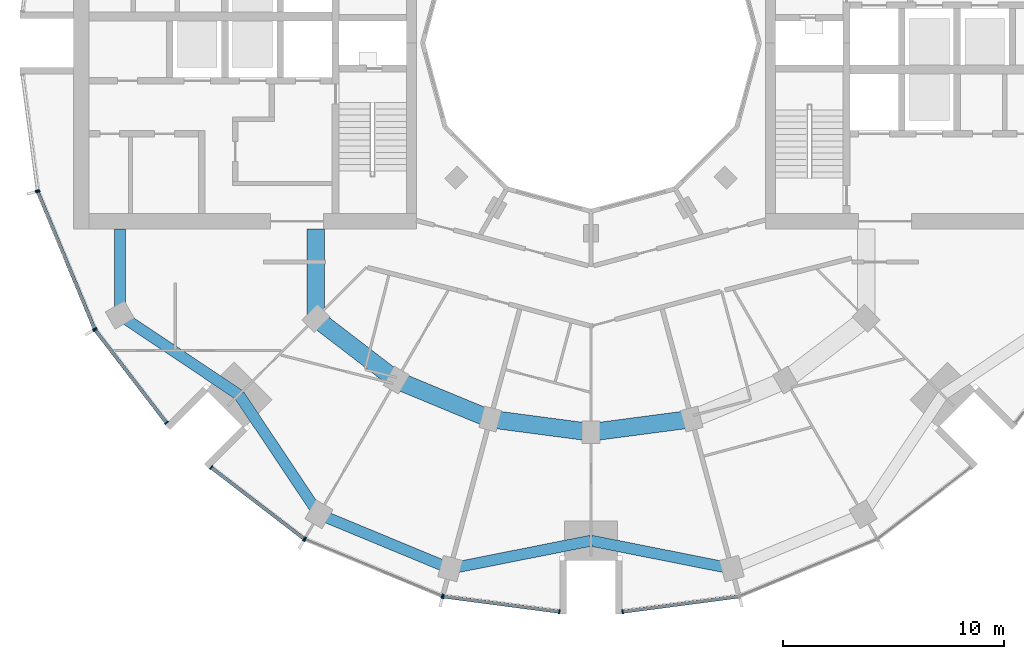
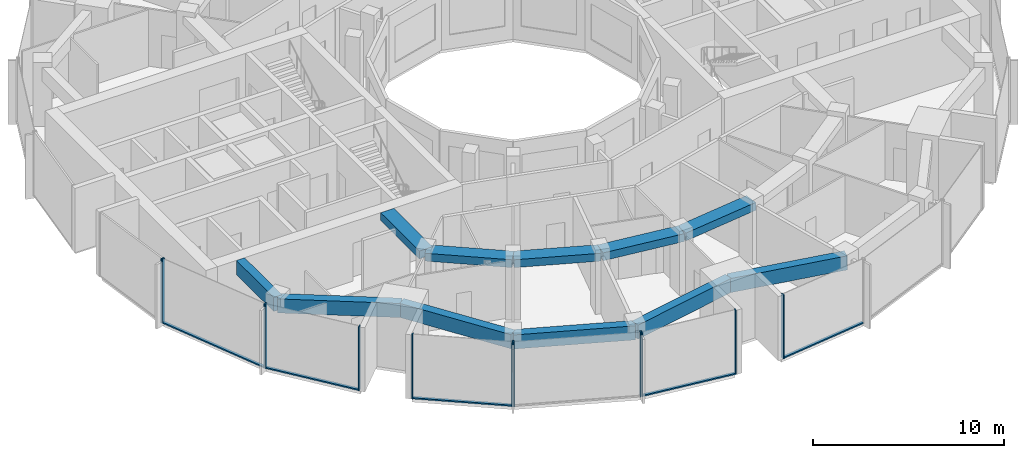
# One storey, part 2 of 15: 17 members, 11 beams, 7 elements without a shape of their own.
"""IFC4 building model written with IfcOpenShell, lengths in metres."""

from ifc_helpers import new_model, si_unit, direction, frame, origin, origin_2d, place, context, subcontext, project, spatial, rectangle, extrude, material, layer, layer_set, material_profile, profile_set, type_object, element, aggregate, save


model = new_model("IFC4")

# Units and contexts
model_context = context("Model", 3, precision=1e-05, world=origin(), true_north=direction((0.0, 1.0)))
body_context = subcontext(model_context, "Body", "Model", "MODEL_VIEW")
ifc_project = project(units=[si_unit("LENGTHUNIT", "METRE"), si_unit("AREAUNIT", "SQUARE_METRE"), si_unit("VOLUMEUNIT", "CUBIC_METRE"), si_unit("PLANEANGLEUNIT", "RADIAN"), si_unit("MASSUNIT", "GRAM", prefix="KILO")], contexts=[model_context])

# Site, building, storey
site_placement = place(None, origin())
site = spatial("IfcSite", under=ifc_project, at=site_placement, CompositionType="ELEMENT")
building_placement = place(site_placement, origin())
building = spatial("IfcBuilding", under=site, at=building_placement, Name="Torre Brocal", CompositionType="ELEMENT")
storey_placement = place(building_placement, frame((0.0, 0.0, 190.5)))
storey = spatial("IfcBuildingStorey", under=building, at=storey_placement, Name="L44", CompositionType="ELEMENT", Elevation=190.5)

# Curtain wall, members
ifc_material_1 = material(Name="Aluminium and glass", Category="aluminium")
ifc_layer_1 = layer(ifc_material_1, 0.199951171875)
ifc_layer_set_1 = layer_set([ifc_layer_1], Name="Aluminium and glass")
curtain_wall_type_1 = type_object("IfcCurtainWallType", Name="CW-1 CURTAIN WALL 4100 HIGH", PredefinedType="NOTDEFINED", material=ifc_layer_set_1)
curtain_wall_1_placement = place(storey_placement, origin())
curtain_wall_1 = element("IfcCurtainWall", 1, at=curtain_wall_1_placement, inside=storey, type_object=curtain_wall_type_1, Name="CW-1 RUN 14", PredefinedType="NOTDEFINED")
ifc_material_2 = material(Name="Aluminium, dark anodised", Category="aluminium")
ifc_material_profile_1 = material_profile(ifc_material_2, rectangle(XDim=0.199951171875, YDim=0.06005859375, at=origin_2d()), Name="CW-1 MULLION 60X200")
ifc_profile_set_1 = profile_set([ifc_material_profile_1], Name="Aluminium, dark anodised")
member_type_1 = type_object("IfcMemberType", Name="CW-1 MULLION 60X200", PredefinedType="MULLION", material=ifc_profile_set_1)
member_1_placement = place(storey_placement, frame((54.994873046875, 68.26904296875, 0.0), z_axis=(0.0, 0.0, 1.0), x_axis=(0.923879532525, 0.382683432333, 0.0)))
member_1 = element("IfcMember", 2, at=member_1_placement, type_object=member_type_1, Name="CW1-4 mullion 1", PredefinedType="MULLION", context=body_context, shape_type="SweptSolid", body=[
    extrude(rectangle(XDim=0.199951171875, YDim=0.06005859375, at=origin_2d()), origin(), (0.0, 0.0, 1.0), 4.10009765625),
])
member_2_placement = place(storey_placement, frame((57.559326171875, 62.078125, 0.0), z_axis=(0.0, 0.0, 1.0), x_axis=(0.923879532525, 0.382683432333, 0.0)))
member_2 = element("IfcMember", 3, at=member_2_placement, type_object=member_type_1, Name="CW1-4 mullion 2", PredefinedType="MULLION", context=body_context, shape_type="SweptSolid", body=[
    extrude(rectangle(XDim=0.199951171875, YDim=0.06005859375, at=origin_2d()), origin(), (0.0, 0.0, 1.0), 4.10009765625),
])

curtain_wall_2_placement = place(storey_placement, origin())
curtain_wall_2 = element("IfcCurtainWall", 4, at=curtain_wall_2_placement, inside=storey, type_object=curtain_wall_type_1, Name="CW-1 RUN 15", PredefinedType="NOTDEFINED")
member_3_placement = place(storey_placement, frame((57.5888671875, 62.026611328125, 0.0), z_axis=(0.0, 0.0, 1.0), x_axis=(0.793353340259, 0.60876142905, 0.0)))
member_3 = element("IfcMember", 5, at=member_3_placement, type_object=member_type_1, Name="CW1-4 mullion 1", PredefinedType="MULLION", context=body_context, shape_type="SweptSolid", body=[
    extrude(rectangle(XDim=0.199951171875, YDim=0.06005859375, at=origin_2d()), origin(), (0.0, 0.0, 1.0), 4.10009765625),
])
member_4_placement = place(storey_placement, frame((60.80859375, 57.83056640625, 0.0), z_axis=(0.0, 0.0, 1.0), x_axis=(0.793353340259, 0.60876142905, 0.0)))
member_4 = element("IfcMember", 6, at=member_4_placement, type_object=member_type_1, Name="CW1-4 mullion 2", PredefinedType="MULLION", context=body_context, shape_type="SweptSolid", body=[
    extrude(rectangle(XDim=0.199951171875, YDim=0.06005859375, at=origin_2d()), origin(), (0.0, 0.0, 1.0), 4.10009765625),
])

curtain_wall_3_placement = place(storey_placement, origin())
curtain_wall_3 = element("IfcCurtainWall", 7, at=curtain_wall_3_placement, inside=storey, type_object=curtain_wall_type_1, Name="CW-1 RUN 16", PredefinedType="NOTDEFINED")
member_5_placement = place(storey_placement, frame((62.83056640625, 55.80859375, 0.0), z_axis=(0.0, 0.0, 1.0), x_axis=(0.60876142905, 0.793353340259, 0.0)))
member_5 = element("IfcMember", 8, at=member_5_placement, type_object=member_type_1, Name="CW1-4 mullion 1", PredefinedType="MULLION", context=body_context, shape_type="SweptSolid", body=[
    extrude(rectangle(XDim=0.199951171875, YDim=0.06005859375, at=origin_2d()), origin(), (0.0, 0.0, 1.0), 4.10009765625),
])
member_6_placement = place(storey_placement, frame((67.026611328125, 52.5888671875, 0.0), z_axis=(0.0, 0.0, 1.0), x_axis=(0.60876142905, 0.793353340259, 0.0)))
member_6 = element("IfcMember", 9, at=member_6_placement, type_object=member_type_1, Name="CW1-4 mullion 2", PredefinedType="MULLION", context=body_context, shape_type="SweptSolid", body=[
    extrude(rectangle(XDim=0.199951171875, YDim=0.06005859375, at=origin_2d()), origin(), (0.0, 0.0, 1.0), 4.10009765625),
])

curtain_wall_4_placement = place(storey_placement, origin())
curtain_wall_4 = element("IfcCurtainWall", 10, at=curtain_wall_4_placement, inside=storey, type_object=curtain_wall_type_1, Name="CW-1 RUN 17", PredefinedType="NOTDEFINED")
member_7_placement = place(storey_placement, frame((67.078125, 52.559326171875, 0.0), z_axis=(0.0, 0.0, 1.0), x_axis=(0.382683432333, 0.923879532525, 0.0)))
member_7 = element("IfcMember", 11, at=member_7_placement, type_object=member_type_1, Name="CW1-4 mullion 1", PredefinedType="MULLION", context=body_context, shape_type="SweptSolid", body=[
    extrude(rectangle(XDim=0.199951171875, YDim=0.06005859375, at=origin_2d()), origin(), (0.0, 0.0, 1.0), 4.10009765625),
])
member_8_placement = place(storey_placement, frame((73.26904296875, 49.994873046875, 0.0), z_axis=(0.0, 0.0, 1.0), x_axis=(0.382683432333, 0.923879532525, 0.0)))
member_8 = element("IfcMember", 12, at=member_8_placement, type_object=member_type_1, Name="CW1-4 mullion 2", PredefinedType="MULLION", context=body_context, shape_type="SweptSolid", body=[
    extrude(rectangle(XDim=0.199951171875, YDim=0.06005859375, at=origin_2d()), origin(), (0.0, 0.0, 1.0), 4.10009765625),
])
aggregate(curtain_wall_4, [member_7, member_8])

curtain_wall_5_placement = place(storey_placement, origin())
curtain_wall_5 = element("IfcCurtainWall", 13, at=curtain_wall_5_placement, inside=storey, type_object=curtain_wall_type_1, Name="CW-1 RUN 18", PredefinedType="NOTDEFINED")
member_9_placement = place(storey_placement, frame((73.32666015625, 49.9794921875, 0.0), z_axis=(0.0, 0.0, 1.0), x_axis=(0.13052619222, 0.991444861374, 0.0)))
member_9 = element("IfcMember", 14, at=member_9_placement, type_object=member_type_1, Name="CW1-4 mullion 1", PredefinedType="MULLION", context=body_context, shape_type="SweptSolid", body=[
    extrude(rectangle(XDim=0.199951171875, YDim=0.06005859375, at=origin_2d()), origin(), (0.0, 0.0, 1.0), 4.10009765625),
])
member_10_placement = place(storey_placement, frame((78.5703125, 49.2890625, 0.0), z_axis=(0.0, 0.0, 1.0), x_axis=(0.13052619222, 0.991444861374, 0.0)))
member_10 = element("IfcMember", 15, at=member_10_placement, type_object=member_type_1, Name="CW1-4 mullion 2", PredefinedType="MULLION", context=body_context, shape_type="SweptSolid", body=[
    extrude(rectangle(XDim=0.199951171875, YDim=0.06005859375, at=origin_2d()), origin(), (0.0, 0.0, 1.0), 4.10009765625),
])

# Curtain wall, member
curtain_wall_6_placement = place(storey_placement, origin())
curtain_wall_6 = element("IfcCurtainWall", 16, at=curtain_wall_6_placement, inside=storey, type_object=curtain_wall_type_1, Name="CW-1 RUN 19", PredefinedType="NOTDEFINED")
member_11_placement = place(storey_placement, frame((81.4296875, 49.2890625, 0.0), z_axis=(0.0, 0.0, 1.0), x_axis=(-0.13052619222, 0.991444861374, 0.0)))
member_11 = element("IfcMember", 17, at=member_11_placement, type_object=member_type_1, Name="CW1-4 mullion 1", PredefinedType="MULLION", context=body_context, shape_type="SweptSolid", body=[
    extrude(rectangle(XDim=0.199951171875, YDim=0.06005859375, at=origin_2d()), origin(), (0.0, 0.0, 1.0), 4.10009765625),
])

# Member
ifc_material_3 = material(Name="Aluminium, dark anodised", Category="aluminium")
ifc_material_profile_2 = material_profile(ifc_material_3, rectangle(XDim=0.159912109375, YDim=0.080078125, at=origin_2d()), Name="CW-1 TRANSOM 160X80")
ifc_profile_set_2 = profile_set([ifc_material_profile_2], Name="Aluminium, dark anodised")
member_type_2 = type_object("IfcMemberType", Name="CW-1 TRANSOM 160X80", PredefinedType="USERDEFINED", material=ifc_profile_set_2)
member_12_placement = place(storey_placement, frame((55.00634765625, 68.241455078125, 0.0400390625), z_axis=(0.38266457234, -0.923887344364, 0.0), x_axis=(0.923887344364, 0.38266457234, 0.0)))
member_12 = element("IfcMember", 18, at=member_12_placement, type_object=member_type_2, Name="CW1-4 transom 1.1", ObjectType="TRANSOM", PredefinedType="USERDEFINED", context=body_context, shape_type="SweptSolid", body=[
    extrude(rectangle(XDim=0.159912109375, YDim=0.080078125, at=origin_2d()), origin(), (0.0, 0.0, 1.0), 6.640869140625),
])

aggregate(curtain_wall_1, [member_1, member_2, member_12])

member_13_placement = place(storey_placement, frame((57.607177734375, 62.0029296875, 0.0400390625), z_axis=(0.60874908096, -0.79336281513, 0.0), x_axis=(0.79336281513, 0.60874908096, 0.0)))
member_13 = element("IfcMember", 19, at=member_13_placement, type_object=member_type_2, Name="CW1-4 transom 1.1", ObjectType="TRANSOM", PredefinedType="USERDEFINED", context=body_context, shape_type="SweptSolid", body=[
    extrude(rectangle(XDim=0.159912109375, YDim=0.080078125, at=origin_2d()), origin(), (0.0, 0.0, 1.0), 5.22900390625),
])

aggregate(curtain_wall_2, [member_3, member_4, member_13])

member_14_placement = place(storey_placement, frame((62.8544921875, 55.790283203125, 0.0400390625), z_axis=(0.79336281513, -0.60874908096, 0.0), x_axis=(0.60874908096, 0.79336281513, 0.0)))
member_14 = element("IfcMember", 20, at=member_14_placement, type_object=member_type_2, Name="CW1-4 transom 1.1", ObjectType="TRANSOM", PredefinedType="USERDEFINED", context=body_context, shape_type="SweptSolid", body=[
    extrude(rectangle(XDim=0.159912109375, YDim=0.080078125, at=origin_2d()), origin(), (0.0, 0.0, 1.0), 5.22900390625),
])

aggregate(curtain_wall_3, [member_5, member_6, member_14])

member_15_placement = place(storey_placement, frame((73.356201171875, 49.9755859375, 0.0400390625), z_axis=(0.991442690863, -0.130542677827, 0.0), x_axis=(0.130542677827, 0.991442690863, 0.0)))
member_15 = element("IfcMember", 21, at=member_15_placement, type_object=member_type_2, Name="CW1-4 transom 1.1", ObjectType="TRANSOM", PredefinedType="USERDEFINED", context=body_context, shape_type="SweptSolid", body=[
    extrude(rectangle(XDim=0.159912109375, YDim=0.080078125, at=origin_2d()), origin(), (0.0, 0.0, 1.0), 5.22900390625),
])

aggregate(curtain_wall_5, [member_9, member_10, member_15])

member_16_placement = place(storey_placement, frame((81.45947265625, 49.29296875, 0.0400390625), z_axis=(0.991442690863, 0.130542677827, 0.0), x_axis=(-0.130542677827, 0.991442690863, 0.0)))
member_16 = element("IfcMember", 22, at=member_16_placement, type_object=member_type_2, Name="CW1-4 transom 1.1", ObjectType="TRANSOM", PredefinedType="USERDEFINED", context=body_context, shape_type="SweptSolid", body=[
    extrude(rectangle(XDim=0.159912109375, YDim=0.080078125, at=origin_2d()), origin(), (0.0, 0.0, 1.0), 5.22900390625),
])

aggregate(curtain_wall_6, [member_11, member_16])

# Curtain wall, member
ifc_material_4 = material(Name="Aluminium and glass", Category="aluminium")
ifc_layer_2 = layer(ifc_material_4, 0.199951171875)
ifc_layer_set_2 = layer_set([ifc_layer_2], Name="Aluminium and glass")
curtain_wall_type_2 = type_object("IfcCurtainWallType", Name="CW-1B CURTAIN WALL 4100 HIGH", PredefinedType="NOTDEFINED", material=ifc_layer_set_2)
curtain_wall_7_placement = place(storey_placement, origin())
curtain_wall_7 = element("IfcCurtainWall", 23, at=curtain_wall_7_placement, inside=storey, type_object=curtain_wall_type_2, Name="CW-1B RUN 13", PredefinedType="NOTDEFINED")
ifc_material_5 = material(Name="Aluminium, dark anodised", Category="aluminium")
ifc_material_profile_3 = material_profile(ifc_material_5, rectangle(XDim=0.199951171875, YDim=0.06005859375, at=origin_2d()), Name="CW-1B MULLION 60X200")
ifc_profile_set_3 = profile_set([ifc_material_profile_3], Name="Aluminium, dark anodised")
member_type_3 = type_object("IfcMemberType", Name="CW-1B MULLION 60X200", PredefinedType="MULLION", material=ifc_profile_set_3)
member_17_placement = place(storey_placement, frame((54.9794921875, 68.32666015625, 0.0), z_axis=(0.0, 0.0, 1.0), x_axis=(0.991444861374, 0.13052619222, 0.0)))
member_17 = element("IfcMember", 24, at=member_17_placement, type_object=member_type_3, Name="CW1B-4 mullion 2", PredefinedType="MULLION", context=body_context, shape_type="SweptSolid", body=[
    extrude(rectangle(XDim=0.199951171875, YDim=0.06005859375, at=origin_2d()), origin(), (0.0, 0.0, 1.0), 4.10009765625),
])
aggregate(curtain_wall_7, [member_17])

# Beams
ifc_material_6 = material(Name="Concrete C50", Category="concrete")
ifc_material_profile_4 = material_profile(ifc_material_6, rectangle(XDim=0.800048828125, YDim=0.5, at=origin_2d()), Name="RC 800X500")
ifc_profile_set_4 = profile_set([ifc_material_profile_4], Name="Concrete C50")
beam_type_1 = type_object("IfcBeamType", Name="RC BEAM 800X500 C50 TOP 3780", PredefinedType="BEAM", material=ifc_profile_set_4)
beam_1_placement = place(storey_placement, frame((67.554931640625, 62.554931640625, 3.530029296875), z_axis=(0.0, 1.0, 0.0), x_axis=(-1.0, 0.0, 0.0)))
element("IfcBeam", 25, at=beam_1_placement, inside=storey, type_object=beam_type_1, Name="Beam BT-32", PredefinedType="BEAM", context=body_context, shape_type="SweptSolid", body=[
    extrude(rectangle(XDim=0.800048828125, YDim=0.5, at=origin_2d()), origin(), (0.0, 0.0, 1.0), 4.045166015625),
])
beam_2_placement = place(storey_placement, frame((67.554931640625, 62.554931640625, 3.530029296875), z_axis=(0.793358265959, -0.6087550097, 0.0), x_axis=(0.6087550097, 0.793358265959, 0.0)))
element("IfcBeam", 26, at=beam_2_placement, inside=storey, type_object=beam_type_1, Name="Beam BT-32", PredefinedType="BEAM", context=body_context, shape_type="SweptSolid", body=[
    extrude(rectangle(XDim=0.800048828125, YDim=0.5, at=origin_2d()), origin(), (0.0, 0.0, 1.0), 4.594482421875),
])
beam_3_placement = place(storey_placement, frame((71.199951171875, 59.758056640625, 3.530029296875), z_axis=(0.923878240166, -0.382686552348, 0.0), x_axis=(0.382686552348, 0.923878240166, 0.0)))
element("IfcBeam", 27, at=beam_3_placement, inside=storey, type_object=beam_type_1, Name="Beam BT-32", PredefinedType="BEAM", context=body_context, shape_type="SweptSolid", body=[
    extrude(rectangle(XDim=0.800048828125, YDim=0.5, at=origin_2d()), origin(), (0.0, 0.0, 1.0), 4.5947265625),
])
for number, where, z_axis, x_axis, name in (
    (28, (75.44482421875, 57.999755859375, 3.530029296875), (0.991440544449, -0.130558978332, 0.0), (0.130558978332, 0.991440544449, 0.0), "Beam BT-32"),
    (29, (80.0, 57.39990234375, 3.530029296875), (0.991440544449, 0.130558978332, 0.0), (-0.130558978332, 0.991440544449, 0.0), "Beam BT-32"),
):
    element("IfcBeam", number, at=place(storey_placement, frame(where, z_axis=z_axis, x_axis=x_axis)), inside=storey, type_object=beam_type_1, Name=name, PredefinedType="BEAM", context=body_context, shape_type="SweptSolid", body=[
        extrude(rectangle(XDim=0.800048828125, YDim=0.5, at=origin_2d()), origin(), (0.0, 0.0, 1.0), 4.594482421875),
    ])
ifc_material_7 = material(Name="Concrete C50", Category="concrete")
ifc_material_profile_5 = material_profile(ifc_material_7, rectangle(XDim=0.5, YDim=0.89990234375, at=origin_2d()), Name="RC 500X900")
ifc_profile_set_5 = profile_set([ifc_material_profile_5], Name="Concrete C50")
beam_type_2 = type_object("IfcBeamType", Name="RC SPANDREL BEAM 500X900 C50 TOP 3780", PredefinedType="SPANDREL", material=ifc_profile_set_5)
beam_4_placement = place(storey_placement, frame((58.69580078125, 62.699951171875, 3.330078125), z_axis=(0.0, 1.0, 0.0), x_axis=(-1.0, 0.0, 0.0)))
element("IfcBeam", 30, at=beam_4_placement, inside=storey, type_object=beam_type_2, Name="Beam BT-33", PredefinedType="SPANDREL", context=body_context, shape_type="SweptSolid", body=[
    extrude(rectangle(XDim=0.5, YDim=0.89990234375, at=origin_2d()), origin(), (0.0, 0.0, 1.0), 3.900146484375),
])
for number, where, z_axis, x_axis, name in (
    (31, (58.69580078125, 62.699951171875, 3.330078125), (0.831076844476, -0.556157602282, 0.0), (0.556157602282, 0.831076844476, 0.0), "Beam BT-33"),
    (32, (64.090087890625, 59.090087890625, 3.330078125), (0.556157602282, -0.831076844476, 0.0), (0.831076844476, 0.556157602282, 0.0), "Beam BT-33"),
):
    element("IfcBeam", number, at=place(storey_placement, frame(where, z_axis=z_axis, x_axis=x_axis)), inside=storey, type_object=beam_type_2, Name=name, PredefinedType="SPANDREL", context=body_context, shape_type="SweptSolid", body=[
        extrude(rectangle(XDim=0.5, YDim=0.89990234375, at=origin_2d()), origin(), (0.0, 0.0, 1.0), 6.49072265625),
    ])
beam_5_placement = place(storey_placement, frame((67.699951171875, 53.69580078125, 3.330078125), z_axis=(0.923882462513, -0.382676358639, 0.0), x_axis=(0.382676358639, 0.923882462513, 0.0)))
element("IfcBeam", 33, at=beam_5_placement, inside=storey, type_object=beam_type_2, Name="Beam BT-33", PredefinedType="SPANDREL", context=body_context, shape_type="SweptSolid", body=[
    extrude(rectangle(XDim=0.5, YDim=0.89990234375, at=origin_2d()), origin(), (0.0, 0.0, 1.0), 6.421875),
])
for number, where, z_axis, x_axis, name in (
    (34, (73.633056640625, 51.23828125, 3.330078125), (0.980924907484, 0.194387051723, 0.0), (-0.194387051723, 0.980924907484, 0.0), "Beam BT-33"),
    (35, (80.0, 52.5, 3.330078125), (0.980924907484, -0.194387051723, 0.0), (0.194387051723, 0.980924907484, 0.0), "Beam BT-33"),
):
    element("IfcBeam", number, at=place(storey_placement, frame(where, z_axis=z_axis, x_axis=x_axis)), inside=storey, type_object=beam_type_2, Name=name, PredefinedType="SPANDREL", context=body_context, shape_type="SweptSolid", body=[
        extrude(rectangle(XDim=0.5, YDim=0.89990234375, at=origin_2d()), origin(), (0.0, 0.0, 1.0), 6.49072265625),
    ])

save(model, "model.ifc")
